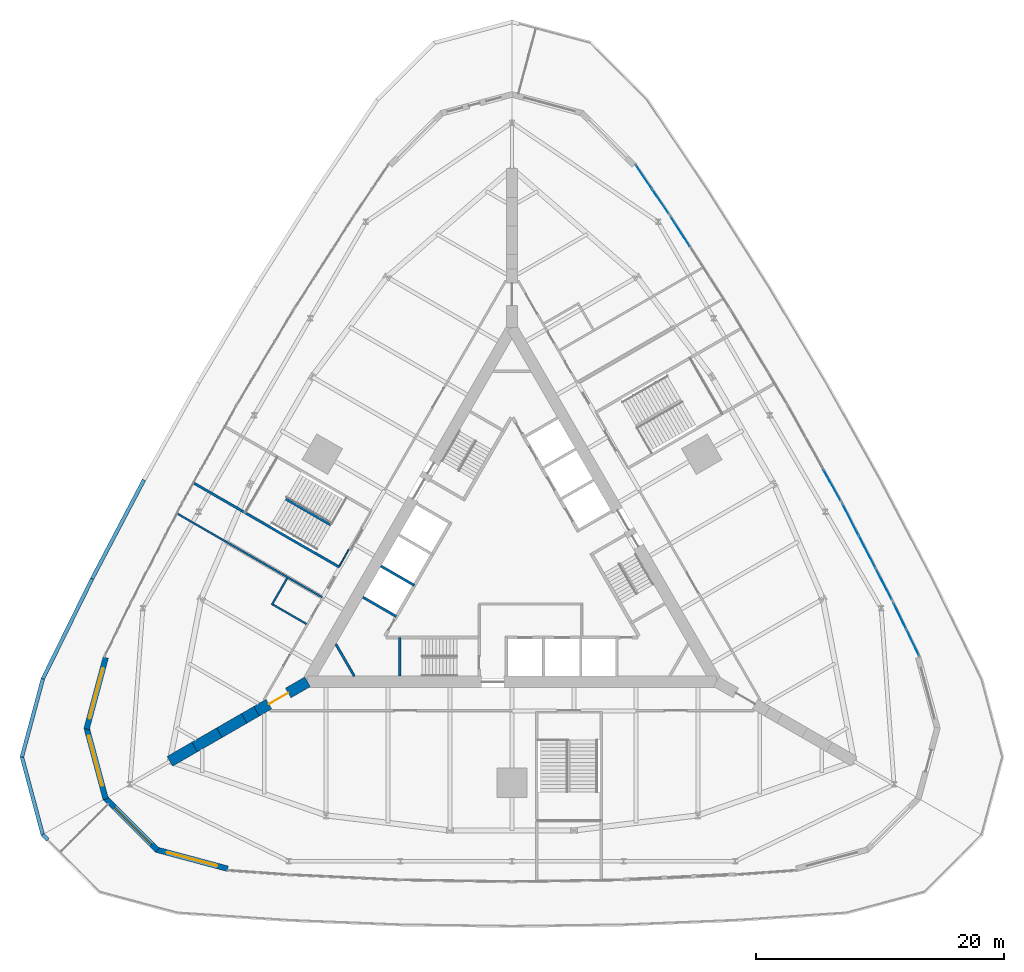
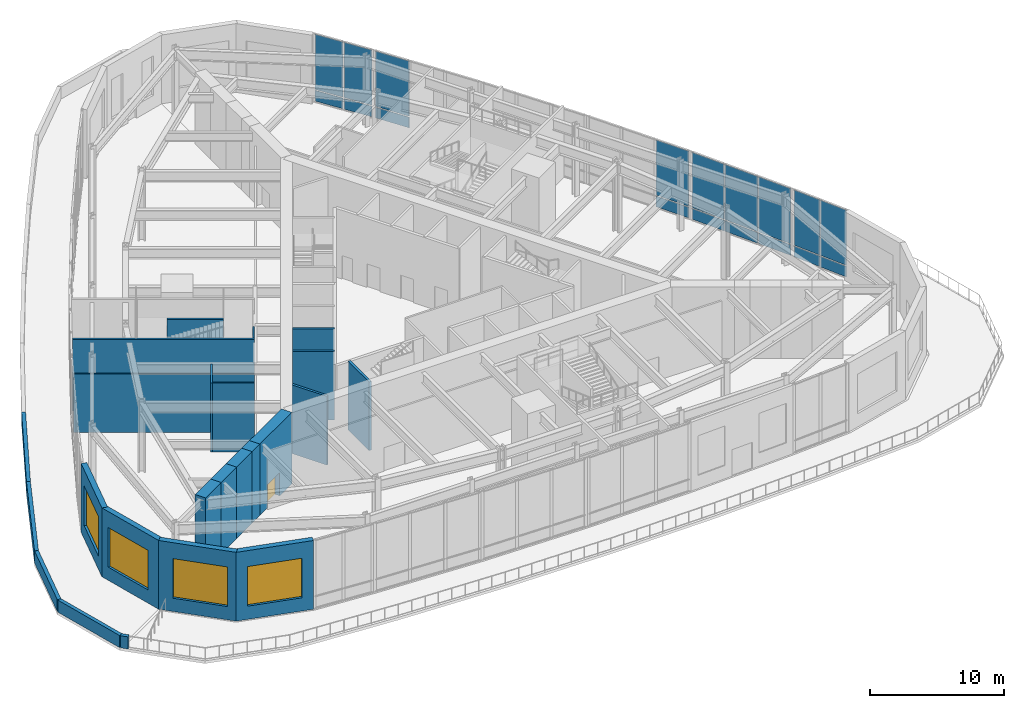
# One storey, part 11 of 19: 24 walls, 18 plates, 4 windows, 1 door, 5 openings, 5 elements without a shape of their own.
"""IFC4 building model written with IfcOpenShell, lengths in metres."""

from ifc_helpers import new_model, si_unit, direction, frame, frame_2d, origin, origin_2d, place, context, subcontext, project, spatial, rectangle, extrude, material, layer, layer_set, type_object, element, fill, aggregate, save


model = new_model("IFC4")

# Units and contexts
model_context = context("Model", 3, precision=1e-05, world=origin(), true_north=direction((0.0, 1.0)))
body_context = subcontext(model_context, "Body", "Model", "MODEL_VIEW")
ifc_project = project(units=[si_unit("LENGTHUNIT", "METRE"), si_unit("AREAUNIT", "SQUARE_METRE"), si_unit("VOLUMEUNIT", "CUBIC_METRE"), si_unit("PLANEANGLEUNIT", "RADIAN"), si_unit("MASSUNIT", "GRAM", prefix="KILO")], contexts=[model_context])

# Site, building, storey
site_placement = place(None, origin())
site = spatial("IfcSite", under=ifc_project, at=site_placement, CompositionType="ELEMENT")
building_placement = place(site_placement, origin())
building = spatial("IfcBuilding", under=site, at=building_placement, Name="Trikona Tower", CompositionType="ELEMENT")
storey_placement = place(building_placement, frame((0.0, 0.0, 11.0)))
storey = spatial("IfcBuildingStorey", under=building, at=storey_placement, Name="L02", CompositionType="ELEMENT", Elevation=11.0)

# Curtain wall, plates
ifc_material_1 = material(Name="Aluminium curtain wall system", Category="aluminium")
curtain_wall_type = type_object("IfcCurtainWallType", Name="Curtain wall PD", PredefinedType="NOTDEFINED", material=ifc_material_1)
curtain_wall_1_placement = place(storey_placement, origin())
curtain_wall_1 = element("IfcCurtainWall", 1, at=curtain_wall_1_placement, inside=storey, type_object=curtain_wall_type, Name="Curtain wall PD L02", PredefinedType="NOTDEFINED")
ifc_material_2 = material(Name="Clear insulating glass unit", Category="glass")
ifc_layer_1 = layer(ifc_material_2, 0.028076171875)
ifc_layer_set_1 = layer_set([ifc_layer_1], Name="Glass panel PD")
plate_type = type_object("IfcPlateType", Name="Glass panel PD", PredefinedType="CURTAIN_PANEL", material=ifc_layer_set_1)
plate_1_placement = place(storey_placement, frame((32.33935546875, -6.375, 0.08984375), z_axis=(0.0, 0.0, 1.0), x_axis=(-0.437129331746, 0.899398658731, 0.0)))
plate_1 = element("IfcPlate", 2, at=plate_1_placement, type_object=plate_type, Name="CW-PD panel 1.1", PredefinedType="CURTAIN_PANEL", context=body_context, shape_type="SweptSolid", body=[
    extrude(rectangle(XDim=2.311279296875, YDim=0.028076171875, at=origin_2d()), origin(), (0.0, 0.0, 1.0), 0.965087890625),
])
plate_2_placement = place(storey_placement, frame((32.33935546875, -6.375, 1.14501953125), z_axis=(0.0, 0.0, 1.0), x_axis=(-0.437129331746, 0.899398658731, 0.0)))
plate_2 = element("IfcPlate", 3, at=plate_2_placement, type_object=plate_type, Name="CW-PD panel 1.2", PredefinedType="CURTAIN_PANEL", context=body_context, shape_type="SweptSolid", body=[
    extrude(rectangle(XDim=2.311279296875, YDim=0.028076171875, at=origin_2d()), origin(), (0.0, 0.0, 1.0), 5.014892578125),
])
plate_3_placement = place(storey_placement, frame((31.28955078125, -4.21533203125, 0.08984375), z_axis=(0.0, 0.0, 1.0), x_axis=(-0.437129331746, 0.899398658731, 0.0)))
plate_3 = element("IfcPlate", 4, at=plate_3_placement, type_object=plate_type, Name="CW-PD panel 2.1", PredefinedType="CURTAIN_PANEL", context=body_context, shape_type="SweptSolid", body=[
    extrude(rectangle(XDim=2.311279296875, YDim=0.028076171875, at=origin_2d()), origin(), (0.0, 0.0, 1.0), 0.965087890625),
])
plate_4_placement = place(storey_placement, frame((31.28955078125, -4.21533203125, 1.14501953125), z_axis=(0.0, 0.0, 1.0), x_axis=(-0.437129331746, 0.899398658731, 0.0)))
plate_4 = element("IfcPlate", 5, at=plate_4_placement, type_object=plate_type, Name="CW-PD panel 2.2", PredefinedType="CURTAIN_PANEL", context=body_context, shape_type="SweptSolid", body=[
    extrude(rectangle(XDim=2.311279296875, YDim=0.028076171875, at=origin_2d()), origin(), (0.0, 0.0, 1.0), 5.014892578125),
])
aggregate(curtain_wall_1, [plate_1, plate_2, plate_3, plate_4])

curtain_wall_2_placement = place(storey_placement, origin())
curtain_wall_2 = element("IfcCurtainWall", 6, at=curtain_wall_2_placement, inside=storey, type_object=curtain_wall_type, Name="Curtain wall PD L02", PredefinedType="NOTDEFINED")
plate_5_placement = place(storey_placement, frame((30.002197265625, -1.6533203125, 0.08984375), z_axis=(0.0, 0.0, 1.0), x_axis=(-0.458829153469, 0.88852451172, 0.0)))
plate_5 = element("IfcPlate", 7, at=plate_5_placement, type_object=plate_type, Name="CW-PD panel 1.1", PredefinedType="CURTAIN_PANEL", context=body_context, shape_type="SweptSolid", body=[
    extrude(rectangle(XDim=2.828369140625, YDim=0.028076171875, at=origin_2d()), origin(), (0.0, 0.0, 1.0), 0.965087890625),
])
plate_6_placement = place(storey_placement, frame((30.002197265625, -1.6533203125, 1.14501953125), z_axis=(0.0, 0.0, 1.0), x_axis=(-0.458829153469, 0.88852451172, 0.0)))
plate_6 = element("IfcPlate", 8, at=plate_6_placement, type_object=plate_type, Name="CW-PD panel 1.2", PredefinedType="CURTAIN_PANEL", context=body_context, shape_type="SweptSolid", body=[
    extrude(rectangle(XDim=2.828369140625, YDim=0.028076171875, at=origin_2d()), origin(), (0.0, 0.0, 1.0), 5.014892578125),
])
plate_7_placement = place(storey_placement, frame((28.65283203125, 0.959716796875, 0.08984375), z_axis=(0.0, 0.0, 1.0), x_axis=(-0.458829153469, 0.88852451172, 0.0)))
plate_7 = element("IfcPlate", 9, at=plate_7_placement, type_object=plate_type, Name="CW-PD panel 2.1", PredefinedType="CURTAIN_PANEL", context=body_context, shape_type="SweptSolid", body=[
    extrude(rectangle(XDim=2.873291015625, YDim=0.028076171875, at=origin_2d()), origin(), (0.0, 0.0, 1.0), 0.965087890625),
])
plate_8_placement = place(storey_placement, frame((28.65283203125, 0.959716796875, 1.14501953125), z_axis=(0.0, 0.0, 1.0), x_axis=(-0.458829153469, 0.88852451172, 0.0)))
plate_8 = element("IfcPlate", 10, at=plate_8_placement, type_object=plate_type, Name="CW-PD panel 2.2", PredefinedType="CURTAIN_PANEL", context=body_context, shape_type="SweptSolid", body=[
    extrude(rectangle(XDim=2.873291015625, YDim=0.028076171875, at=origin_2d()), origin(), (0.0, 0.0, 1.0), 5.014892578125),
])
plate_9_placement = place(storey_placement, frame((27.303466796875, 3.57275390625, 0.08984375), z_axis=(0.0, 0.0, 1.0), x_axis=(-0.458829153469, 0.88852451172, 0.0)))
plate_9 = element("IfcPlate", 11, at=plate_9_placement, type_object=plate_type, Name="CW-PD panel 3.1", PredefinedType="CURTAIN_PANEL", context=body_context, shape_type="SweptSolid", body=[
    extrude(rectangle(XDim=2.828369140625, YDim=0.028076171875, at=origin_2d()), origin(), (0.0, 0.0, 1.0), 0.965087890625),
])
plate_10_placement = place(storey_placement, frame((27.303466796875, 3.57275390625, 1.14501953125), z_axis=(0.0, 0.0, 1.0), x_axis=(-0.458829153469, 0.88852451172, 0.0)))
plate_10 = element("IfcPlate", 12, at=plate_10_placement, type_object=plate_type, Name="CW-PD panel 3.2", PredefinedType="CURTAIN_PANEL", context=body_context, shape_type="SweptSolid", body=[
    extrude(rectangle(XDim=2.828369140625, YDim=0.028076171875, at=origin_2d()), origin(), (0.0, 0.0, 1.0), 5.014892578125),
])
aggregate(curtain_wall_2, [plate_5, plate_6, plate_7, plate_8, plate_9, plate_10])

curtain_wall_3_placement = place(storey_placement, origin())
curtain_wall_3 = element("IfcCurtainWall", 13, at=curtain_wall_3_placement, inside=storey, type_object=curtain_wall_type, Name="Curtain wall PD L02", PredefinedType="NOTDEFINED")
plate_11_placement = place(storey_placement, frame((25.8271484375, 6.3251953125, 0.08984375), z_axis=(0.0, 0.0, 1.0), x_axis=(-0.486387509156, 0.873743206518, 0.0)))
plate_11 = element("IfcPlate", 14, at=plate_11_placement, type_object=plate_type, Name="CW-PD panel 1.1", PredefinedType="CURTAIN_PANEL", context=body_context, shape_type="SweptSolid", body=[
    extrude(rectangle(XDim=2.825439453125, YDim=0.028076171875, at=origin_2d()), origin(), (0.0, 0.0, 1.0), 0.965087890625),
])
plate_12_placement = place(storey_placement, frame((25.8271484375, 6.3251953125, 1.14501953125), z_axis=(0.0, 0.0, 1.0), x_axis=(-0.486387509156, 0.873743206518, 0.0)))
plate_12 = element("IfcPlate", 15, at=plate_12_placement, type_object=plate_type, Name="CW-PD panel 1.2", PredefinedType="CURTAIN_PANEL", context=body_context, shape_type="SweptSolid", body=[
    extrude(rectangle(XDim=2.825439453125, YDim=0.028076171875, at=origin_2d()), origin(), (0.0, 0.0, 1.0), 5.014892578125),
])
aggregate(curtain_wall_3, [plate_11, plate_12])

curtain_wall_4_placement = place(storey_placement, origin())
curtain_wall_4 = element("IfcCurtainWall", 16, at=curtain_wall_4_placement, inside=storey, type_object=curtain_wall_type, Name="Curtain wall PD L02", PredefinedType="NOTDEFINED")
plate_13_placement = place(storey_placement, frame((13.5693359375, 26.809326171875, 0.08984375), z_axis=(0.0, 0.0, 1.0), x_axis=(-0.540065506463, 0.84162298491, 0.0)))
plate_13 = element("IfcPlate", 17, at=plate_13_placement, type_object=plate_type, Name="CW-PD panel 3.1", PredefinedType="CURTAIN_PANEL", context=body_context, shape_type="SweptSolid", body=[
    extrude(rectangle(XDim=2.828369140625, YDim=0.028076171875, at=origin_2d()), origin(), (0.0, 0.0, 1.0), 0.965087890625),
])
plate_14_placement = place(storey_placement, frame((13.5693359375, 26.809326171875, 1.14501953125), z_axis=(0.0, 0.0, 1.0), x_axis=(-0.540065506463, 0.84162298491, 0.0)))
plate_14 = element("IfcPlate", 18, at=plate_14_placement, type_object=plate_type, Name="CW-PD panel 3.2", PredefinedType="CURTAIN_PANEL", context=body_context, shape_type="SweptSolid", body=[
    extrude(rectangle(XDim=2.828369140625, YDim=0.028076171875, at=origin_2d()), origin(), (0.0, 0.0, 1.0), 5.014892578125),
])
aggregate(curtain_wall_4, [plate_13, plate_14])

curtain_wall_5_placement = place(storey_placement, origin())
curtain_wall_5 = element("IfcCurtainWall", 19, at=curtain_wall_5_placement, inside=storey, type_object=curtain_wall_type, Name="Curtain wall PD L02", PredefinedType="NOTDEFINED")
plate_15_placement = place(storey_placement, frame((11.994384765625, 29.205078125, 0.08984375), z_axis=(0.0, 0.0, 1.0), x_axis=(-0.560337823373, 0.828264162992, 0.0)))
plate_15 = element("IfcPlate", 20, at=plate_15_placement, type_object=plate_type, Name="CW-PD panel 1.1", PredefinedType="CURTAIN_PANEL", context=body_context, shape_type="SweptSolid", body=[
    extrude(rectangle(XDim=2.311279296875, YDim=0.028076171875, at=origin_2d()), origin(), (0.0, 0.0, 1.0), 0.965087890625),
])
plate_16_placement = place(storey_placement, frame((11.994384765625, 29.205078125, 1.14501953125), z_axis=(0.0, 0.0, 1.0), x_axis=(-0.560337823373, 0.828264162992, 0.0)))
plate_16 = element("IfcPlate", 21, at=plate_16_placement, type_object=plate_type, Name="CW-PD panel 1.2", PredefinedType="CURTAIN_PANEL", context=body_context, shape_type="SweptSolid", body=[
    extrude(rectangle(XDim=2.311279296875, YDim=0.028076171875, at=origin_2d()), origin(), (0.0, 0.0, 1.0), 5.014892578125),
])
plate_17_placement = place(storey_placement, frame((10.64892578125, 31.194091796875, 0.08984375), z_axis=(0.0, 0.0, 1.0), x_axis=(-0.560337823373, 0.828264162992, 0.0)))
plate_17 = element("IfcPlate", 22, at=plate_17_placement, type_object=plate_type, Name="CW-PD panel 2.1", PredefinedType="CURTAIN_PANEL", context=body_context, shape_type="SweptSolid", body=[
    extrude(rectangle(XDim=2.311279296875, YDim=0.028076171875, at=origin_2d()), origin(), (0.0, 0.0, 1.0), 0.965087890625),
])
plate_18_placement = place(storey_placement, frame((10.64892578125, 31.194091796875, 1.14501953125), z_axis=(0.0, 0.0, 1.0), x_axis=(-0.560337823373, 0.828264162992, 0.0)))
plate_18 = element("IfcPlate", 23, at=plate_18_placement, type_object=plate_type, Name="CW-PD panel 2.2", PredefinedType="CURTAIN_PANEL", context=body_context, shape_type="SweptSolid", body=[
    extrude(rectangle(XDim=2.311279296875, YDim=0.028076171875, at=origin_2d()), origin(), (0.0, 0.0, 1.0), 5.014892578125),
])
aggregate(curtain_wall_5, [plate_15, plate_16, plate_17, plate_18])

# Wall, opening, window
ifc_material_3 = material(Name="Brick-faced precast concrete", Category="masonry")
ifc_layer_2 = layer(ifc_material_3, 0.449951171875)
ifc_layer_set_2 = layer_set([ifc_layer_2], Name="Brick-faced corner wall 450")
wall_type_1 = type_object("IfcWallType", Name="Brick-faced corner wall 450", PredefinedType="SOLIDWALL", material=ifc_layer_set_2)
wall_1_placement = place(storey_placement, frame((-32.78271484375, -7.563720703125, 0.0), z_axis=(0.0, 0.0, 1.0), x_axis=(-0.258791208569, -0.965933284636, 0.0)))
wall_1 = element("IfcWall", 24, at=wall_1_placement, inside=storey, type_object=wall_type_1, Name="External wall L02-26", PredefinedType="SOLIDWALL", context=body_context, shape_type="SweptSolid", body=[
    extrude(rectangle(XDim=5.977294921875, YDim=0.449951171875, at=frame_2d((2.98876953125, 0.0))), origin(), (0.0, 0.0, 1.0), 6.25),
])
opening_1_placement = place(wall_1_placement, frame((0.888671875, 0.0, 1.199951171875)))
opening_1 = element("IfcOpeningElement", 25, at=opening_1_placement, cuts=wall_1, Name="Opening W4236", PredefinedType="OPENING", context=body_context, shape_type="SweptSolid", body=[
    extrude(rectangle(XDim=4.199951171875, YDim=3.60009765625, at=frame_2d((2.10009765625, 1.800048828125))), frame((0.0, 0.23486328125, 0.0), z_axis=(0.0, -1.0, 0.0), x_axis=(1.0, 0.0, 0.0)), (0.0, 0.0, 1.0), 0.469970703125),
])
ifc_material_4 = material(Name="Aluminium-framed double glazing", Category="aluminium")
window_type = type_object("IfcWindowType", Name="Window 4200x3600", PartitioningType="SINGLE_PANEL", PredefinedType="WINDOW", material=ifc_material_4)
window_1_placement = place(opening_1_placement, origin())
window_1 = element("IfcWindow", 26, at=window_1_placement, inside=storey, type_object=window_type, Name="Window L02-BST", OverallHeight=3.60009765625, OverallWidth=4.199951171875, PartitioningType="SINGLE_PANEL", PredefinedType="WINDOW", context=body_context, shape_type="SweptSolid", body=[
    extrude(rectangle(XDim=4.199951171875, YDim=3.60009765625, at=frame_2d((2.10009765625, 1.800048828125))), frame((0.0, 0.030029296875, 0.0), z_axis=(0.0, -1.0, 0.0), x_axis=(1.0, 0.0, 0.0)), (0.0, 0.0, 1.0), 0.06005859375),
])
fill(opening_1, window_1)

wall_2_placement = place(storey_placement, frame((-34.32958984375, -13.220947265625, 0.0), z_axis=(0.0, 0.0, 1.0), x_axis=(0.258801419081, -0.965930548995, 0.0)))
wall_2 = element("IfcWall", 27, at=wall_2_placement, inside=storey, type_object=wall_type_1, Name="External wall L02-27", PredefinedType="SOLIDWALL", context=body_context, shape_type="SweptSolid", body=[
    extrude(rectangle(XDim=5.97705078125, YDim=0.449951171875, at=frame_2d((2.988525390625, 0.0))), origin(), (0.0, 0.0, 1.0), 6.25),
])
opening_2_placement = place(wall_2_placement, frame((0.669921875, 0.0, 1.199951171875)))
opening_2 = element("IfcOpeningElement", 28, at=opening_2_placement, cuts=wall_2, Name="Opening W4236", PredefinedType="OPENING", context=body_context, shape_type="SweptSolid", body=[
    extrude(rectangle(XDim=4.199951171875, YDim=3.60009765625, at=frame_2d((2.10009765625, 1.800048828125))), frame((0.0, 0.23486328125, 0.0), z_axis=(0.0, -1.0, 0.0), x_axis=(1.0, 0.0, 0.0)), (0.0, 0.0, 1.0), 0.469970703125),
])
window_2_placement = place(opening_2_placement, origin())
window_2 = element("IfcWindow", 29, at=window_2_placement, inside=storey, type_object=window_type, Name="Window L02-BST", OverallHeight=3.60009765625, OverallWidth=4.199951171875, PartitioningType="SINGLE_PANEL", PredefinedType="WINDOW", context=body_context, shape_type="SweptSolid", body=[
    extrude(rectangle(XDim=4.199951171875, YDim=3.60009765625, at=frame_2d((2.10009765625, 1.800048828125))), frame((0.0, 0.030029296875, 0.0), z_axis=(0.0, -1.0, 0.0), x_axis=(1.0, 0.0, 0.0)), (0.0, 0.0, 1.0), 0.06005859375),
])
fill(opening_2, window_2)

wall_3_placement = place(storey_placement, frame((-32.8408203125, -18.8935546875, 0.0), z_axis=(0.0, 0.0, 1.0), x_axis=(0.707086357855, -0.707127203928, 0.0)))
wall_3 = element("IfcWall", 30, at=wall_3_placement, inside=storey, type_object=wall_type_1, Name="External wall L02-28", PredefinedType="SOLIDWALL", context=body_context, shape_type="SweptSolid", body=[
    extrude(rectangle(XDim=5.97705078125, YDim=0.449951171875, at=frame_2d((2.988525390625, 0.0))), origin(), (0.0, 0.0, 1.0), 6.25),
])
opening_3_placement = place(wall_3_placement, frame((1.106689453125, 0.0, 1.199951171875)))
opening_3 = element("IfcOpeningElement", 31, at=opening_3_placement, cuts=wall_3, Name="Opening W4236", PredefinedType="OPENING", context=body_context, shape_type="SweptSolid", body=[
    extrude(rectangle(XDim=4.199951171875, YDim=3.60009765625, at=frame_2d((2.10009765625, 1.800048828125))), frame((0.0, 0.23486328125, 0.0), z_axis=(0.0, -1.0, 0.0), x_axis=(1.0, 0.0, 0.0)), (0.0, 0.0, 1.0), 0.469970703125),
])
window_3_placement = place(opening_3_placement, origin())
window_3 = element("IfcWindow", 32, at=window_3_placement, inside=storey, type_object=window_type, Name="Window L02-BAL", OverallHeight=3.60009765625, OverallWidth=4.199951171875, PartitioningType="SINGLE_PANEL", PredefinedType="WINDOW", context=body_context, shape_type="SweptSolid", body=[
    extrude(rectangle(XDim=4.199951171875, YDim=3.60009765625, at=frame_2d((2.10009765625, 1.800048828125))), frame((0.0, 0.030029296875, 0.0), z_axis=(0.0, -1.0, 0.0), x_axis=(1.0, 0.0, 0.0)), (0.0, 0.0, 1.0), 0.06005859375),
])
fill(opening_3, window_3)

wall_4_placement = place(storey_placement, frame((-28.71533203125, -23.061767578125, 0.0), z_axis=(0.0, 0.0, 1.0), x_axis=(0.965920337451, -0.258839528858, 0.0)))
wall_4 = element("IfcWall", 33, at=wall_4_placement, inside=storey, type_object=wall_type_1, Name="External wall L02-29", PredefinedType="SOLIDWALL", context=body_context, shape_type="SweptSolid", body=[
    extrude(rectangle(XDim=5.97705078125, YDim=0.449951171875, at=frame_2d((2.988525390625, 0.0))), origin(), (0.0, 0.0, 1.0), 6.25),
])
opening_4_placement = place(wall_4_placement, frame((0.888671875, 0.0, 1.199951171875)))
opening_4 = element("IfcOpeningElement", 34, at=opening_4_placement, cuts=wall_4, Name="Opening W4236", PredefinedType="OPENING", context=body_context, shape_type="SweptSolid", body=[
    extrude(rectangle(XDim=4.199951171875, YDim=3.60009765625, at=frame_2d((2.10009765625, 1.800048828125))), frame((0.0, 0.23486328125, 0.0), z_axis=(0.0, -1.0, 0.0), x_axis=(1.0, 0.0, 0.0)), (0.0, 0.0, 1.0), 0.469970703125),
])
window_4_placement = place(opening_4_placement, origin())
window_4 = element("IfcWindow", 35, at=window_4_placement, inside=storey, type_object=window_type, Name="Window L02-BAL", OverallHeight=3.60009765625, OverallWidth=4.199951171875, PartitioningType="SINGLE_PANEL", PredefinedType="WINDOW", context=body_context, shape_type="SweptSolid", body=[
    extrude(rectangle(XDim=4.199951171875, YDim=3.60009765625, at=frame_2d((2.10009765625, 1.800048828125))), frame((0.0, 0.030029296875, 0.0), z_axis=(0.0, -1.0, 0.0), x_axis=(1.0, 0.0, 0.0)), (0.0, 0.0, 1.0), 0.06005859375),
])
fill(opening_4, window_4)

# Wall, opening, door
ifc_material_5 = material(Name="Concrete f'c 10000 psi", Category="concrete")
ifc_layer_3 = layer(ifc_material_5, 0.89990234375)
ifc_layer_set_3 = layer_set([ifc_layer_3], Name="Buttress wall 900")
wall_type_2 = type_object("IfcWallType", Name="Buttress wall 900", PredefinedType="SHEAR", material=ifc_layer_set_3)
wall_5_placement = place(storey_placement, frame((-16.5, -9.5263671875, 0.0), z_axis=(0.0, 0.0, 1.0), x_axis=(-0.866031398331, -0.499989616998, 0.0)))
wall_5 = element("IfcWall", 36, at=wall_5_placement, inside=storey, type_object=wall_type_2, Name="Buttress wall 3", PredefinedType="SHEAR", context=body_context, shape_type="SweptSolid", body=[
    extrude(rectangle(XDim=4.74609375, YDim=0.89990234375, at=frame_2d((2.373046875, 0.0))), origin(), (0.0, 0.0, 1.0), 6.5),
])
opening_5_placement = place(wall_5_placement, frame((1.800048828125, 0.0, 0.0)))
opening_5 = element("IfcOpeningElement", 37, at=opening_5_placement, cuts=wall_5, Name="Opening D10", PredefinedType="OPENING", context=body_context, shape_type="SweptSolid", body=[
    extrude(rectangle(XDim=1.800048828125, YDim=2.1298828125, at=frame_2d((0.89990234375, 1.06494140625))), frame((0.0, 0.4599609375, 0.0), z_axis=(0.0, -1.0, 0.0), x_axis=(1.0, 0.0, 0.0)), (0.0, 0.0, 1.0), 0.919921875),
])
ifc_material_6 = material(Name="Hollow metal door and frame", Category="steel")
door_type = type_object("IfcDoorType", Name="Cross-corridor door pair 1800x2130", OperationType="DOUBLE_DOOR_DOUBLE_SWING", PredefinedType="DOOR", material=ifc_material_6)
door_placement = place(opening_5_placement, origin())
door = element("IfcDoor", 38, at=door_placement, inside=storey, type_object=door_type, Name="Cross-corridor door 3", OperationType="DOUBLE_DOOR_DOUBLE_SWING", OverallHeight=2.1298828125, OverallWidth=1.800048828125, PredefinedType="DOOR", context=body_context, shape_type="SweptSolid", body=[
    extrude(rectangle(XDim=1.800048828125, YDim=2.1298828125, at=frame_2d((0.89990234375, 1.06494140625))), frame((0.0, 0.02490234375, 0.0), z_axis=(0.0, -1.0, 0.0), x_axis=(1.0, 0.0, 0.0)), (0.0, 0.0, 1.0), 0.050048828125),
])
fill(opening_5, door)

# Walls
wall_6_placement = place(storey_placement, frame((-20.6103515625, -11.8994140625, 0.0), z_axis=(0.0, 0.0, 1.0), x_axis=(-0.866009537788, -0.500027479704, 0.0)))
element("IfcWall", 39, at=wall_6_placement, inside=storey, type_object=wall_type_2, Name="Buttress wall 3 part 2", PredefinedType="SHEAR", context=body_context, shape_type="SweptSolid", body=[
    extrude(rectangle(XDim=1.15478515625, YDim=0.89990234375, at=frame_2d((0.577392578125, 0.0))), origin(), (0.0, 0.0, 1.0), 6.5),
])
for number, where, z_axis, x_axis, name in (
    (40, (-21.6103515625, -12.476806640625, 0.0), (0.0, 0.0, 1.0), (-0.866055313784, -0.499948190782, 0.0), "Buttress wall 3 part 3"),
    (41, (-23.6103515625, -13.63134765625, 0.0), (0.0, 0.0, 1.0), (-0.866009537788, -0.500027479704, 0.0), "Buttress wall 3 part 4"),
    (42, (-25.6103515625, -14.7861328125, 0.0), (0.0, 0.0, 1.0), (-0.866009537788, -0.500027479704, 0.0), "Buttress wall 3 part 5"),
):
    element("IfcWall", number, at=place(storey_placement, frame(where, z_axis=z_axis, x_axis=x_axis)), inside=storey, type_object=wall_type_2, Name=name, PredefinedType="SHEAR", context=body_context, shape_type="SweptSolid", body=[
        extrude(rectangle(XDim=2.309326171875, YDim=0.89990234375, at=frame_2d((1.15478515625, 0.0))), origin(), (0.0, 0.0, 1.0), 6.5),
    ])
ifc_material_7 = material(Name="Brick-faced precast concrete", Category="masonry")
ifc_layer_4 = layer(ifc_material_7, 0.300048828125)
ifc_layer_set_4 = layer_set([ifc_layer_4], Name="Parapet wall 300")
wall_type_3 = type_object("IfcWallType", Name="Parapet wall 300", PredefinedType="PARAPET", material=ifc_layer_set_4)
wall_7_placement = place(storey_placement, frame((-37.44140625, -22.285888671875, 0.0), z_axis=(0.0, 0.0, 1.0), x_axis=(-0.707106781187, 0.707106781187, 0.0)))
element("IfcWall", 43, at=wall_7_placement, inside=storey, type_object=wall_type_3, Name="Green roof parapet L02-1-00", PredefinedType="PARAPET", context=body_context, shape_type="SweptSolid", body=[
    extrude(rectangle(XDim=0.599609375, YDim=0.300048828125, at=frame_2d((0.2998046875, 0.0))), origin(), (0.0, 0.0, 1.0), 1.10009765625),
])
wall_8_placement = place(storey_placement, frame((-37.865478515625, -21.86181640625, 0.0), z_axis=(0.0, 0.0, 1.0), x_axis=(-0.258811243261, 0.965927916752, 0.0)))
element("IfcWall", 44, at=wall_8_placement, inside=storey, type_object=wall_type_3, Name="Green roof parapet L02-1-01", PredefinedType="PARAPET", context=body_context, shape_type="SweptSolid", body=[
    extrude(rectangle(XDim=6.49462890625, YDim=0.300048828125, at=frame_2d((3.247314453125, 0.0))), origin(), (0.0, 0.0, 1.0), 1.10009765625),
])
wall_9_placement = place(storey_placement, frame((-39.54638671875, -15.58837890625, 0.0), z_axis=(0.0, 0.0, 1.0), x_axis=(0.258818438327, 0.965925988874, 0.0)))
element("IfcWall", 45, at=wall_9_placement, inside=storey, type_object=wall_type_3, Name="Green roof parapet L02-1-02", PredefinedType="PARAPET", context=body_context, shape_type="SweptSolid", body=[
    extrude(rectangle(XDim=6.52001953125, YDim=0.300048828125, at=frame_2d((3.260009765625, 0.0))), origin(), (0.0, 0.0, 1.0), 1.10009765625),
])
wall_10_placement = place(storey_placement, frame((-37.85888671875, -9.29052734375, 0.0), z_axis=(0.0, 0.0, 1.0), x_axis=(0.441281352702, 0.897368802532, 0.0)))
element("IfcWall", 46, at=wall_10_placement, inside=storey, type_object=wall_type_3, Name="Green roof parapet L02-1-03", PredefinedType="PARAPET", context=body_context, shape_type="SweptSolid", body=[
    extrude(rectangle(XDim=9.003173828125, YDim=0.300048828125, at=frame_2d((4.50146484375, 0.0))), origin(), (0.0, 0.0, 1.0), 1.10009765625),
])
wall_11_placement = place(storey_placement, frame((-33.885986328125, -1.21142578125, 0.0), z_axis=(0.0, 0.0, 1.0), x_axis=(0.46498853792, 0.885316700172, 0.0)))
element("IfcWall", 47, at=wall_11_placement, inside=storey, type_object=wall_type_3, Name="Green roof parapet L02-1-04", PredefinedType="PARAPET", context=body_context, shape_type="SweptSolid", body=[
    extrude(rectangle(XDim=9.00341796875, YDim=0.300048828125, at=frame_2d((4.501708984375, 0.0))), origin(), (0.0, 0.0, 1.0), 1.10009765625),
])
ifc_material_8 = material(Name="Metal stud and gypsum board, 1-hour acoustic", Category="gypsum")
ifc_layer_5 = layer(ifc_material_8, 0.14990234375)
ifc_layer_set_5 = layer_set([ifc_layer_5], Name="Party wall 150")
wall_type_4 = type_object("IfcWallType", Name="Party wall 150", PredefinedType="PARTITIONING", material=ifc_layer_set_5)
wall_12_placement = place(storey_placement, frame((-15.32861328125, -2.697021484375, 0.0), z_axis=(0.0, 0.0, 1.0), x_axis=(-0.866024753221, 0.500001126807, 0.0)))
element("IfcWall", 48, at=wall_12_placement, inside=storey, type_object=wall_type_4, Name="Partition L02 F3 u10", PredefinedType="PARTITIONING", context=body_context, shape_type="SweptSolid", body=[
    extrude(rectangle(XDim=13.4482421875, YDim=0.14990234375, at=frame_2d((6.72412109375, 0.0))), origin(), (0.0, 0.0, 1.0), 5.3076171875),
])
wall_13_placement = place(storey_placement, frame((-18.13720703125, -1.162109375, 0.0), z_axis=(0.0, 0.0, 1.0), x_axis=(-0.500004234368, -0.866022959057, 0.0)))
element("IfcWall", 49, at=wall_13_placement, inside=storey, type_object=wall_type_4, Name="Partition L02 F3 u10 back", PredefinedType="PARTITIONING", context=body_context, shape_type="SweptSolid", body=[
    extrude(rectangle(XDim=2.5, YDim=0.14990234375, at=frame_2d((1.25, 0.0))), origin(), (0.0, 0.0, 1.0), 6.25),
])
wall_14_placement = place(storey_placement, frame((-16.57861328125, -4.8623046875, 0.0), z_axis=(0.0, 0.0, 1.0), x_axis=(-0.866022959057, 0.500004234368, 0.0)))
element("IfcWall", 50, at=wall_14_placement, inside=storey, type_object=wall_type_4, Name="Partition L02 F3 u12.5", PredefinedType="PARTITIONING", context=body_context, shape_type="SweptSolid", body=[
    extrude(rectangle(XDim=3.125, YDim=0.14990234375, at=frame_2d((1.5625, 0.0))), origin(), (0.0, 0.0, 1.0), 6.25),
])
ifc_material_9 = material(Name="Concrete f'c 8000 psi", Category="concrete")
ifc_layer_6 = layer(ifc_material_9, 0.199951171875)
ifc_layer_set_6 = layer_set([ifc_layer_6], Name="Shaft wall 200")
wall_type_5 = type_object("IfcWallType", Name="Shaft wall 200", PredefinedType="SOLIDWALL", material=ifc_layer_set_6)
for number, where, z_axis, x_axis, name in (
    (51, (-7.87890625, -1.744140625, 0.0), (0.0, 0.0, 1.0), (-0.866022959057, 0.500004234368, 0.0), "Shaft wall C5"),
    (52, (-9.3291015625, -4.255615234375, 0.0), (0.0, 0.0, 1.0), (-0.866022959057, 0.500004234368, 0.0), "Shaft wall C6"),
):
    element("IfcWall", number, at=place(storey_placement, frame(where, z_axis=z_axis, x_axis=x_axis)), inside=storey, type_object=wall_type_5, Name=name, PredefinedType="SOLIDWALL", context=body_context, shape_type="SweptSolid", body=[
        extrude(rectangle(XDim=3.125, YDim=0.199951171875, at=frame_2d((1.5625, 0.0))), origin(), (0.0, 0.0, 1.0), 6.25),
    ])
wall_15_placement = place(storey_placement, frame((-12.718505859375, -9.076416015625, 0.0), z_axis=(0.0, 0.0, 1.0), x_axis=(-0.499952404951, 0.866052881055, 0.0)))
element("IfcWall", 53, at=wall_15_placement, inside=storey, type_object=wall_type_5, Name="Riser wall L02-RS3", PredefinedType="SOLIDWALL", context=body_context, shape_type="SweptSolid", body=[
    extrude(rectangle(XDim=3.002197265625, YDim=0.199951171875, at=frame_2d((1.5009765625, 0.0))), origin(), (0.0, 0.0, 1.0), 6.25),
])
ifc_material_10 = material(Name="Concrete f'c 8000 psi", Category="concrete")
ifc_layer_7 = layer(ifc_material_10, 0.199951171875)
ifc_layer_set_7 = layer_set([ifc_layer_7], Name="Shaft wall 200 load-bearing")
wall_type_6 = type_object("IfcWallType", Name="Shaft wall 200 load-bearing", PredefinedType="SOLIDWALL", material=ifc_layer_set_7)
wall_16_placement = place(storey_placement, frame((-9.050048828125, -5.951416015625, 0.0), z_axis=(0.0, 0.0, 1.0), x_axis=(0.0, -1.0, 0.0)))
element("IfcWall", 54, at=wall_16_placement, inside=storey, type_object=wall_type_6, Name="Shaft wall A1", PredefinedType="SOLIDWALL", context=body_context, shape_type="SweptSolid", body=[
    extrude(rectangle(XDim=3.125, YDim=0.199951171875, at=frame_2d((1.5625, 0.0))), origin(), (0.0, 0.0, 1.0), 6.25),
])
ifc_material_11 = material(Name="Concrete f'c 6000 psi", Category="concrete")
ifc_layer_8 = layer(ifc_material_11, 0.10009765625)
ifc_layer_set_8 = layer_set([ifc_layer_8], Name="Stair enclosure wall 100")
wall_type_7 = type_object("IfcWallType", Name="Stair enclosure wall 100", PredefinedType="SOLIDWALL", material=ifc_layer_set_8)
wall_17_placement = place(storey_placement, frame((-13.171875, 1.138427734375, 0.0), z_axis=(0.0, 0.0, 1.0), x_axis=(-0.499990139034, -0.866031096941, 0.0)))
element("IfcWall", 55, at=wall_17_placement, inside=storey, type_object=wall_type_7, Name="Podium stair PS3 end pier 2 L02", PredefinedType="SOLIDWALL", context=body_context, shape_type="SweptSolid", body=[
    extrude(rectangle(XDim=1.5, YDim=0.10009765625, at=frame_2d((0.75, 0.0))), origin(), (0.0, 0.0, 1.0), 6.5),
])
ifc_material_12 = material(Name="Concrete f'c 6000 psi", Category="concrete")
ifc_layer_9 = layer(ifc_material_12, 0.199951171875)
ifc_layer_set_9 = layer_set([ifc_layer_9], Name="Stair enclosure wall 200")
wall_type_8 = type_object("IfcWallType", Name="Stair enclosure wall 200", PredefinedType="SHEAR", material=ifc_layer_set_9)
wall_18_placement = place(storey_placement, frame((-13.928466796875, -0.272216796875, 0.0), z_axis=(0.0, 0.0, 1.0), x_axis=(-0.866022969634, 0.500004216049, 0.0)))
element("IfcWall", 56, at=wall_18_placement, inside=storey, type_object=wall_type_8, Name="Stair enclosure L02 F3 u7.2", PredefinedType="SHEAR", context=body_context, shape_type="SweptSolid", body=[
    extrude(rectangle(XDim=13.52587890625, YDim=0.199951171875, at=frame_2d((6.762939453125, 0.0))), origin(), (0.0, 0.0, 1.0), 6.5),
])
ifc_material_13 = material(Name="Concrete f'c 5000 psi", Category="concrete")
ifc_layer_10 = layer(ifc_material_13, 0.2001953125)
ifc_layer_set_10 = layer_set([ifc_layer_10], Name="Stair spine wall 200")
wall_type_9 = type_object("IfcWallType", Name="Stair spine wall 200", PredefinedType="SOLIDWALL", material=ifc_layer_set_10)
wall_19_placement = place(storey_placement, frame((-14.622802734375, 3.130859375, 0.0), z_axis=(0.0, 0.0, 1.0), x_axis=(-0.866031452229, 0.49998952364, 0.0)))
element("IfcWall", 57, at=wall_19_placement, inside=storey, type_object=wall_type_9, Name="Podium stair PS3 spine wall L02", PredefinedType="SOLIDWALL", context=body_context, shape_type="SweptSolid", body=[
    extrude(rectangle(XDim=4.19384765625, YDim=0.199951171875, at=frame_2d((2.096923828125, 0.0))), origin(), (0.0, 0.0, 1.0), 6.5),
])

save(model, "model.ifc")
